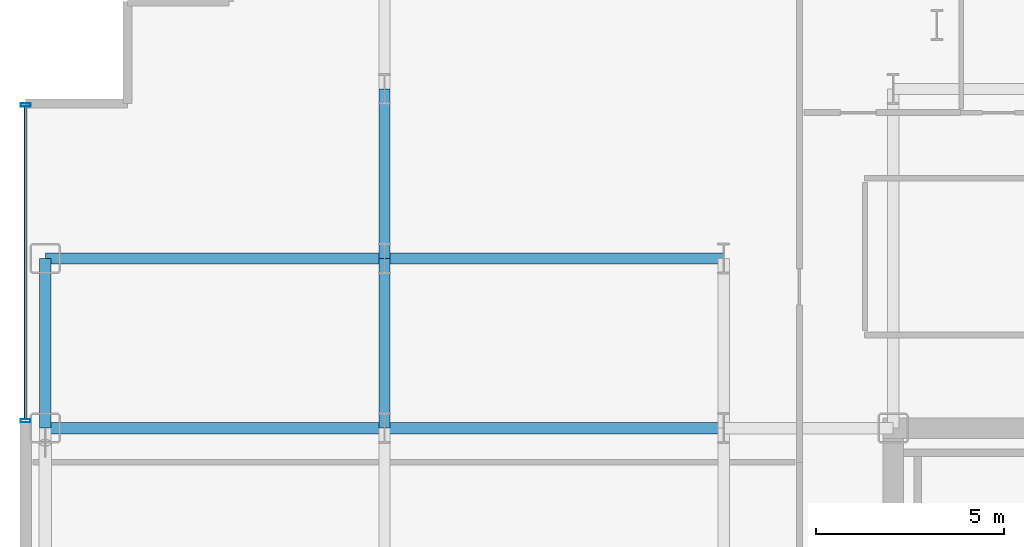
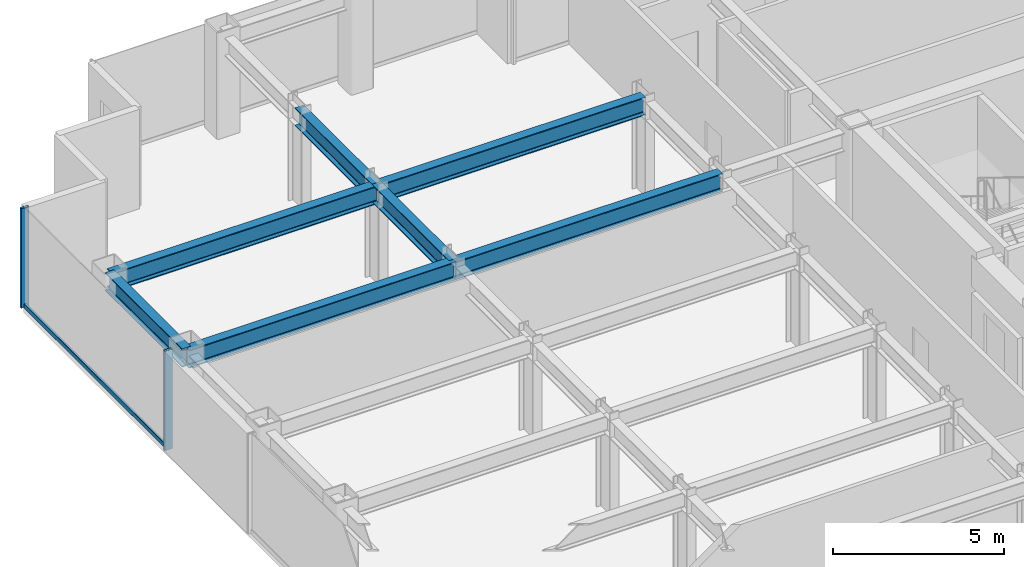
# One storey, part 12 of 25: 7 beams, 3 members, 1 element without a shape of its own.
"""IFC4 building model written with IfcOpenShell, lengths in metres."""

import ifcopenshell
import ifcopenshell.guid

model = None  # the IFC model being written
_history = None  # IfcOwnerHistory: only IFC2X3 demands one
_inside = {}  # id of a spatial element -> (the spatial element, [elements in it])
_under = {}  # id of a project, library or spatial element -> (it, [spatial elements below it])
_declared = {}  # id of a project -> (the project, [libraries it declares])
_typed = {}  # id of a type object -> (the type object, [elements of that type])
_made_of = {}  # id of a material, layer set ... -> (it, [elements and type objects made of it])


def new_model(schema):
    """Start an empty IFC model of exactly this schema.

    Asked for "IFC4X3", IfcOpenShell would pick the latest addendum, in which some entities
    have other attributes; the version numbers below select the first issue.
    IFC2X3 requires an IfcOwnerHistory on every rooted entity: one is made here for all.
    """
    global model, _history
    if schema == "IFC4X3":
        model = ifcopenshell.file(schema_version=(4, 3, 0, 0))
    else:
        model = ifcopenshell.file(schema=schema)
    _inside.clear()
    _under.clear()
    _declared.clear()
    _typed.clear()
    _made_of.clear()
    _history = None
    if model.schema == "IFC2X3":
        org = make("IfcOrganization", Name="unknown")
        user = make(
            "IfcPersonAndOrganization",
            ThePerson=make("IfcPerson", FamilyName="unknown"),
            TheOrganization=org,
        )
        app = make(
            "IfcApplication",
            ApplicationDeveloper=org,
            Version="unknown",
            ApplicationFullName="unknown",
            ApplicationIdentifier="unknown",
        )
        _history = make(
            "IfcOwnerHistory",
            OwningUser=user,
            OwningApplication=app,
            ChangeAction="ADDED",
            CreationDate=0,
        )
    return model


def make(cls, **values):
    """One entity of the class cls with the attributes given. An attribute that is None is left unset."""
    return model.create_entity(
        cls, **{name: value for name, value in values.items() if value is not None}
    )


def rooted(cls, **values):
    """An entity with a GlobalId (a new one), such as an element, a storey or a relation."""
    return make(cls, GlobalId=ifcopenshell.guid.new(), OwnerHistory=_history, **values)


def si_unit(unit_type, name, prefix=None):
    """IfcSIUnit, for example si_unit("LENGTHUNIT", "METRE", prefix="MILLI")."""
    return make("IfcSIUnit", UnitType=unit_type, Prefix=prefix, Name=name)


def assignment(units):
    """IfcUnitAssignment: the units of a project."""
    return None if units is None else make("IfcUnitAssignment", Units=units)


def point(xyz):
    """IfcCartesianPoint."""
    return None if xyz is None else make("IfcCartesianPoint", Coordinates=xyz)


def direction(xyz):
    """IfcDirection."""
    return None if xyz is None else make("IfcDirection", DirectionRatios=xyz)


def frame(location, z_axis=None, x_axis=None):
    """IfcAxis2Placement3D, a coordinate frame: its origin and axes. An axis left out is left unset."""
    return make(
        "IfcAxis2Placement3D",
        Location=point(location),
        Axis=direction(z_axis),
        RefDirection=direction(x_axis),
    )


def frame_2d(location, x_axis=None):
    """IfcAxis2Placement2D, a coordinate frame in the plane: its origin and x axis."""
    return make(
        "IfcAxis2Placement2D", Location=point(location), RefDirection=direction(x_axis)
    )


def origin():
    """The frame at (0, 0, 0) with its axes left unset."""
    return frame((0.0, 0.0, 0.0))


def origin_2d():
    """The frame at (0, 0) in the plane with its x axis left unset."""
    return frame_2d((0.0, 0.0))


def place(relative_to, where):
    """IfcLocalPlacement: puts the frame where relative to a parent placement (None: the world)."""
    return make(
        "IfcLocalPlacement", PlacementRelTo=relative_to, RelativePlacement=where
    )


def context(
    kind, dimensions, precision=None, world=None, true_north=None, identifier=None
):
    """IfcGeometricRepresentationContext, for example the 3D "Model" context."""
    return make(
        "IfcGeometricRepresentationContext",
        ContextIdentifier=identifier,
        ContextType=kind,
        CoordinateSpaceDimension=dimensions,
        Precision=precision,
        WorldCoordinateSystem=world,
        TrueNorth=true_north,
    )


def subcontext(parent, identifier, kind, view, scale=None):
    """IfcGeometricRepresentationSubContext, for example "Body" below "Model"."""
    return make(
        "IfcGeometricRepresentationSubContext",
        ContextIdentifier=identifier,
        ContextType=kind,
        ParentContext=parent,
        TargetScale=scale,
        TargetView=view,
    )


def project(units=None, contexts=None):
    """IfcProject with its units and contexts."""
    return rooted(
        "IfcProject",
        Name="project",
        RepresentationContexts=contexts,
        UnitsInContext=assignment(units),
    )


def spatial(cls, under=None, at=None, **own):
    """A site, building, storey or space (cls), placed at a placement, below another one or the project."""
    s = rooted(cls, ObjectPlacement=at, **own)
    if under is not None:
        _under.setdefault(under.id(), (under, []))[1].append(s)
    return s


def profile(cls, at=None, kind="AREA", **sizes):
    """A parametric profile (cls). Its sizes go by their IFC names, for example OverallWidth=200.0."""
    return make(cls, ProfileType=kind, Position=at, **sizes)


def hollow_rectangle(**sizes):
    """IfcRectangleHollowProfileDef."""
    return profile("IfcRectangleHollowProfileDef", **sizes)


def i_section(**sizes):
    """IfcIShapeProfileDef."""
    return profile("IfcIShapeProfileDef", **sizes)


def extrude(swept, where, along, depth):
    """IfcExtrudedAreaSolid: the profile swept, set in the frame where, extruded along a direction by depth."""
    return make(
        "IfcExtrudedAreaSolid",
        SweptArea=swept,
        Position=where,
        ExtrudedDirection=direction(along),
        Depth=depth,
    )


def shape(context_of_items, identifier, shape_type, items):
    """IfcShapeRepresentation: the items that make up one representation, for example the "Body"."""
    return make(
        "IfcShapeRepresentation",
        ContextOfItems=context_of_items,
        RepresentationIdentifier=identifier,
        RepresentationType=shape_type,
        Items=items,
    )


def source(mapping_origin, context_of_items, identifier, shape_type, items):
    """IfcRepresentationMap: a shape defined once, which mapped items show again and again."""
    return make(
        "IfcRepresentationMap",
        MappingOrigin=mapping_origin,
        MappedRepresentation=shape(context_of_items, identifier, shape_type, items),
    )


def transform(
    local_origin,
    x_axis=None,
    y_axis=None,
    z_axis=None,
    scale=None,
    scale2=None,
    scale3=None,
    uniform=True,
):
    """IfcCartesianTransformationOperator3D, or its non-uniform kind. x_axis, y_axis, z_axis: its Axis1, 2, 3."""
    if uniform:
        return make(
            "IfcCartesianTransformationOperator3D",
            Axis1=direction(x_axis),
            Axis2=direction(y_axis),
            LocalOrigin=point(local_origin),
            Scale=scale,
            Axis3=direction(z_axis),
        )
    return make(
        "IfcCartesianTransformationOperator3DnonUniform",
        Axis1=direction(x_axis),
        Axis2=direction(y_axis),
        LocalOrigin=point(local_origin),
        Scale=scale,
        Axis3=direction(z_axis),
        Scale2=scale2,
        Scale3=scale3,
    )


def mapped(mapping_source, mapping_target):
    """IfcMappedItem: shows the shape of a source again, moved by a transform."""
    return make(
        "IfcMappedItem", MappingSource=mapping_source, MappingTarget=mapping_target
    )


def material(Name=None, Category=None):
    """IfcMaterial."""
    return make("IfcMaterial", Name=Name, Category=Category)


def layer(
    of_material, thickness, ventilated=None, Name=None, Category=None, Priority=None
):
    """IfcMaterialLayer: one layer of a wall or slab, of a material (None: an air gap)."""
    return make(
        "IfcMaterialLayer",
        Material=of_material,
        LayerThickness=thickness,
        IsVentilated=ventilated,
        Name=Name,
        Category=Category,
        Priority=Priority,
    )


def layer_set(layers, Name=None):
    """IfcMaterialLayerSet."""
    return make("IfcMaterialLayerSet", MaterialLayers=layers, LayerSetName=Name)


def material_profile(
    of_material, cross_section, Name=None, Category=None, Priority=None
):
    """IfcMaterialProfile: a cross section and its material."""
    return make(
        "IfcMaterialProfile",
        Name=Name,
        Material=of_material,
        Profile=cross_section,
        Priority=Priority,
        Category=Category,
    )


def profile_set(profiles, Name=None, composite=None):
    """IfcMaterialProfileSet."""
    return make(
        "IfcMaterialProfileSet",
        Name=Name,
        MaterialProfiles=profiles,
        CompositeProfile=composite,
    )


def made_of(thing, what):
    """Note that an element or type object is made of a material, layer set ...; save() writes the relation."""
    if what is not None:
        _made_of.setdefault(what.id(), (what, []))[1].append(thing)
    return thing


def type_object(cls, material=None, **own):
    """A type object (cls), such as IfcWallType, which elements share."""
    return made_of(rooted(cls, **own), material)


def element(
    cls,
    number,
    at=None,
    inside=None,
    cuts=None,
    type_object=None,
    material=None,
    context=None,
    identifier="Body",
    shape_type=None,
    held_by="IfcProductDefinitionShape",
    body=None,
    shapes=None,
    **own,
):
    """One element of the class cls, such as IfcWall. Its Tag is "e" and its number.

    at: its placement. inside: the storey or other place that contains it. cuts: it is an
    opening in that element (IfcRelVoidsElement). A single representation is given by context,
    identifier, shape_type and body (its items); several are given by shapes. held_by: the class
    of the entity that holds the representations. save() writes the other relations.
    """
    e = rooted(cls, Tag="e%d" % number, ObjectPlacement=at, **own)
    if body is not None:
        shapes = [shape(context, identifier, shape_type, body)]
    if shapes is not None:
        e.Representation = make(held_by, Representations=shapes)
    if inside is not None:
        _inside.setdefault(inside.id(), (inside, []))[1].append(e)
    if cuts is not None:
        rooted(
            "IfcRelVoidsElement", RelatingBuildingElement=cuts, RelatedOpeningElement=e
        )
    if type_object is not None:
        _typed.setdefault(type_object.id(), (type_object, []))[1].append(e)
    return made_of(e, material)


def aggregate(whole, parts):
    """IfcRelAggregates: a whole, such as a stair, and the parts it consists of."""
    return rooted("IfcRelAggregates", RelatingObject=whole, RelatedObjects=parts)


def save(model, path):
    """Write the relations noted so far, then the file.

    IfcRelAggregates (storeys below a building ...), IfcRelContainedInSpatialStructure (elements
    in a storey), IfcRelDefinesByType, IfcRelAssociatesMaterial and IfcRelDeclares: one each for
    every whole, place, type object, material and project.
    """
    for whole, parts in _under.values():
        aggregate(whole, parts)
    for where, things in _inside.values():
        rooted(
            "IfcRelContainedInSpatialStructure",
            RelatedElements=things,
            RelatingStructure=where,
        )
    for kind, things in _typed.values():
        rooted("IfcRelDefinesByType", RelatedObjects=things, RelatingType=kind)
    for what, things in _made_of.values():
        rooted("IfcRelAssociatesMaterial", RelatedObjects=things, RelatingMaterial=what)
    for by, libraries in _declared.values():
        rooted("IfcRelDeclares", RelatingContext=by, RelatedDefinitions=libraries)
    model.write(path)


model = new_model("IFC4")

# Units and contexts
model_context = context("Model", 3, precision=1e-05, world=origin(), true_north=direction((0.0, 1.0)))
body_context = subcontext(model_context, "Body", "Model", "MODEL_VIEW")
ifc_project = project(units=[si_unit("LENGTHUNIT", "METRE"), si_unit("AREAUNIT", "SQUARE_METRE"), si_unit("VOLUMEUNIT", "CUBIC_METRE"), si_unit("PLANEANGLEUNIT", "RADIAN"), si_unit("MASSUNIT", "GRAM", prefix="KILO")], contexts=[model_context])

# Site, building, storey
site_placement = place(None, origin())
site = spatial("IfcSite", under=ifc_project, at=site_placement, CompositionType="ELEMENT")
building_placement = place(site_placement, origin())
building = spatial("IfcBuilding", under=site, at=building_placement, Name="Nefas-Gora Pilgrimage Tower", CompositionType="ELEMENT")
storey_placement = place(building_placement, frame((0.0, 0.0, 194.39990234375)))
storey = spatial("IfcBuildingStorey", under=building, at=storey_placement, Name="L48", CompositionType="ELEMENT", Elevation=194.39990234375)

# Beams
ifc_material_1 = material(Name="Steel S355", Category="steel")
ifc_material_profile_1 = material_profile(ifc_material_1, i_section(OverallWidth=0.300048828125, OverallDepth=0.64990234375, WebThickness=0.01611328125, FlangeThickness=0.031005859375, FilletRadius=0.027099609375, at=origin_2d()), Name="HEB 650")
ifc_profile_set_1 = profile_set([ifc_material_profile_1], Name="Steel S355")
beam_type_1 = type_object("IfcBeamType", Name="BM-SPN-HEB500", PredefinedType="SPANDREL", material=ifc_profile_set_1)
shared_shape_1 = source(origin(), body_context, "Body", "SweptSolid", [
    extrude(i_section(OverallWidth=0.300048828125, OverallDepth=0.64990234375, WebThickness=0.01611328125, FlangeThickness=0.031005859375, FilletRadius=0.027099609375, at=origin_2d()), origin(), (0.0, 0.0, 1.0), 4.5),
])
beam_placement = place(storey_placement, frame((-33.75, 9.0, 3.22509765625), z_axis=(0.0, 1.0, 0.0), x_axis=(-1.0, 0.0, 0.0)))
element("IfcBeam", 1, at=beam_placement, inside=storey, type_object=beam_type_1, Name="L48 SP-02 beam", PredefinedType="SPANDREL", context=body_context, shape_type="MappedRepresentation", body=[
    mapped(shared_shape_1, transform((0.0, 0.0, 0.0), x_axis=(1.0, 0.0, 0.0), y_axis=(0.0, 1.0, 0.0), z_axis=(0.0, 0.0, 1.0), scale=1.0)),
])
ifc_material_profile_2 = material_profile(ifc_material_1, i_section(OverallWidth=0.300048828125, OverallDepth=0.64990234375, WebThickness=0.01611328125, FlangeThickness=0.031005859375, FilletRadius=0.027099609375, at=origin_2d()), Name="HEB 650")
ifc_profile_set_2 = profile_set([ifc_material_profile_2], Name="Steel S355")
beam_type_2 = type_object("IfcBeamType", Name="BM-GIR-HEB650", PredefinedType="BEAM", material=ifc_profile_set_2)
shared_shape_2 = source(origin(), body_context, "Body", "SweptSolid", [
    extrude(i_section(OverallWidth=0.300048828125, OverallDepth=0.64990234375, WebThickness=0.01611328125, FlangeThickness=0.031005859375, FilletRadius=0.027099609375, at=origin_2d()), origin(), (0.0, 0.0, 1.0), 9.0),
])
for number, where, z_axis, x_axis, name in (
    (2, (-33.75, 9.0, 3.22509765625), (1.0, 0.0, 0.0), (0.0, 1.0, 0.0), "L48 G-03 beam"),
    (3, (-33.75, 13.5, 3.22509765625), (1.0, 0.0, 0.0), (0.0, 1.0, 0.0), "L48 G-03 beam"),
    (4, (-24.75, 9.0, 3.22509765625), (1.0, 0.0, 0.0), (0.0, 1.0, 0.0), "L48 G-03 beam"),
    (5, (-24.75, 13.5, 3.22509765625), (1.0, 0.0, 0.0), (0.0, 1.0, 0.0), "L48 G-03 beam"),
):
    element("IfcBeam", number, at=place(storey_placement, frame(where, z_axis=z_axis, x_axis=x_axis)), inside=storey, type_object=beam_type_2, Name=name, PredefinedType="BEAM", context=body_context, shape_type="MappedRepresentation", body=[
        mapped(shared_shape_2, transform((0.0, 0.0, 0.0), x_axis=(1.0, 0.0, 0.0), y_axis=(0.0, 1.0, 0.0), z_axis=(0.0, 0.0, 1.0), scale=1.0)),
    ])
shared_shape_3 = source(origin(), body_context, "Body", "SweptSolid", [
    extrude(i_section(OverallWidth=0.300048828125, OverallDepth=0.64990234375, WebThickness=0.01611328125, FlangeThickness=0.031005859375, FilletRadius=0.027099609375, at=origin_2d()), origin(), (0.0, 0.0, 1.0), 4.5),
])
for number, where, z_axis, x_axis, name in (
    (6, (-24.75, 9.0, 3.22509765625), (0.0, 1.0, 0.0), (-1.0, 0.0, 0.0), "L48 G-03 beam"),
    (7, (-24.75, 13.5, 3.22509765625), (0.0, 1.0, 0.0), (-1.0, 0.0, 0.0), "L48 G-03 beam"),
):
    element("IfcBeam", number, at=place(storey_placement, frame(where, z_axis=z_axis, x_axis=x_axis)), inside=storey, type_object=beam_type_2, Name=name, PredefinedType="BEAM", context=body_context, shape_type="MappedRepresentation", body=[
        mapped(shared_shape_3, transform((0.0, 0.0, 0.0), x_axis=(1.0, 0.0, 0.0), y_axis=(0.0, 1.0, 0.0), z_axis=(0.0, 0.0, 1.0), scale=1.0)),
    ])

# Curtain wall, members
ifc_material_2 = material(Name="Dark ceramic-fritted solar-control aluminium-glass curtain wall", Category="aluminium")
ifc_layer = layer(ifc_material_2, 0.219970703125)
ifc_layer_set = layer_set([ifc_layer], Name="Dark ceramic-fritted solar-control aluminium-glass curtain wall")
curtain_wall_type = type_object("IfcCurtainWallType", Name="CW-SYS-3", PredefinedType="NOTDEFINED", material=ifc_layer_set)
curtain_wall_placement = place(storey_placement, origin())
curtain_wall = element("IfcCurtainWall", 8, at=curtain_wall_placement, inside=storey, type_object=curtain_wall_type, Name="L48 Unitised Curtain Wall CW3", PredefinedType="NOTDEFINED")
ifc_material_3 = material(Name="Anodised architectural aluminium", Category="aluminium")
ifc_material_profile_3 = material_profile(ifc_material_3, hollow_rectangle(XDim=0.090087890625, YDim=0.260009765625, WallThickness=0.006103515625, InnerFilletRadius=0.006103515625, OuterFilletRadius=0.011962890625, at=origin_2d()), Name="ALU MULLION 90x260")
ifc_profile_set_3 = profile_set([ifc_material_profile_3], Name="Anodised architectural aluminium")
member_type_1 = type_object("IfcMemberType", Name="CWM-MUL-3", PredefinedType="MULLION", material=ifc_profile_set_3)
shared_shape_4 = source(origin(), body_context, "Body", "SweptSolid", [
    extrude(hollow_rectangle(XDim=0.090087890625, YDim=0.260009765625, WallThickness=0.006103515625, InnerFilletRadius=0.006103515625, OuterFilletRadius=0.011962890625, at=origin_2d()), origin(), (0.0, 0.0, 1.0), 3.550048828125),
])
member_1_placement = place(storey_placement, frame((-34.27001953125, 17.574951171875, 0.0), z_axis=(0.0, 0.0, 1.0), x_axis=(0.0, -1.0, 0.0)))
member_1 = element("IfcMember", 9, at=member_1_placement, type_object=member_type_1, Name="CW3 Mullion 1", PredefinedType="MULLION", context=body_context, shape_type="MappedRepresentation", body=[
    mapped(shared_shape_4, transform((0.0, 0.0, 0.0), x_axis=(1.0, 0.0, 0.0), y_axis=(0.0, 1.0, 0.0), z_axis=(0.0, 0.0, 1.0), scale=1.0)),
])
member_2_placement = place(storey_placement, frame((-34.27001953125, 9.195068359375, 0.0), z_axis=(0.0, 0.0, 1.0), x_axis=(0.0, -1.0, 0.0)))
member_2 = element("IfcMember", 10, at=member_2_placement, type_object=member_type_1, Name="CW3 Mullion 2", PredefinedType="MULLION", context=body_context, shape_type="MappedRepresentation", body=[
    mapped(shared_shape_4, transform((0.0, 0.0, 0.0), x_axis=(1.0, 0.0, 0.0), y_axis=(0.0, 1.0, 0.0), z_axis=(0.0, 0.0, 1.0), scale=1.0)),
])
ifc_material_profile_4 = material_profile(ifc_material_3, hollow_rectangle(XDim=0.080078125, YDim=0.159912109375, WallThickness=0.00439453125, InnerFilletRadius=0.00439453125, OuterFilletRadius=0.009033203125, at=origin_2d()), Name="ALU TRANSOM 80x160")
ifc_profile_set_4 = profile_set([ifc_material_profile_4], Name="Anodised architectural aluminium")
member_type_2 = type_object("IfcMemberType", Name="CWM-TRN-3", PredefinedType="USERDEFINED", material=ifc_profile_set_4)
shared_shape_5 = source(origin(), body_context, "Body", "SweptSolid", [
    extrude(hollow_rectangle(XDim=0.080078125, YDim=0.159912109375, WallThickness=0.00439453125, InnerFilletRadius=0.00439453125, OuterFilletRadius=0.009033203125, at=origin_2d()), origin(), (0.0, 0.0, 1.0), 8.2900390625),
])
member_3_placement = place(storey_placement, frame((-34.27001953125, 17.530029296875, 0.050048828125), z_axis=(0.0, -1.0, 0.0), x_axis=(1.0, 0.0, 0.0)))
member_3 = element("IfcMember", 11, at=member_3_placement, type_object=member_type_2, Name="CW3 Spandrel Transom", ObjectType="TRANSOM", PredefinedType="USERDEFINED", context=body_context, shape_type="MappedRepresentation", body=[
    mapped(shared_shape_5, transform((0.0, 0.0, 0.0), x_axis=(1.0, 0.0, 0.0), y_axis=(0.0, 1.0, 0.0), z_axis=(0.0, 0.0, 1.0), scale=1.0)),
])
aggregate(curtain_wall, [member_1, member_2, member_3])

save(model, "model.ifc")
